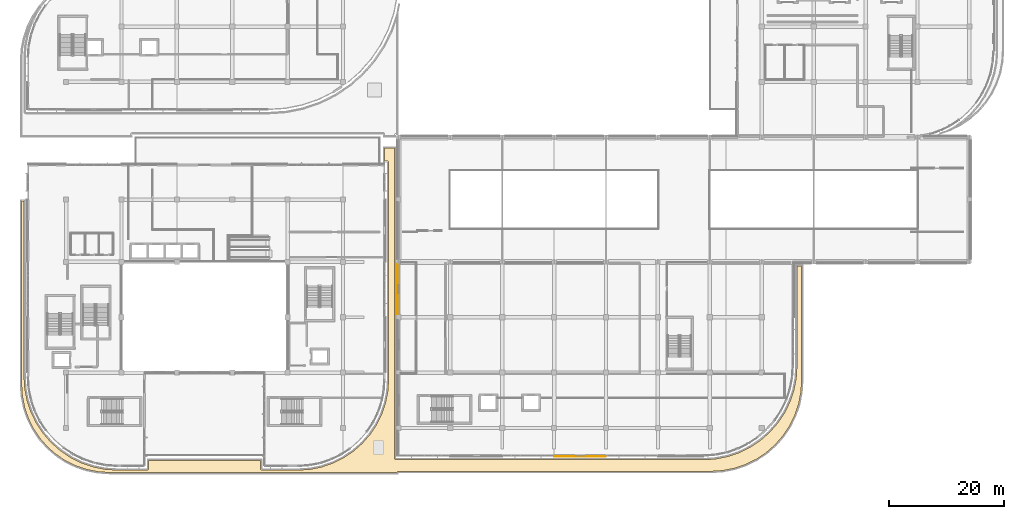
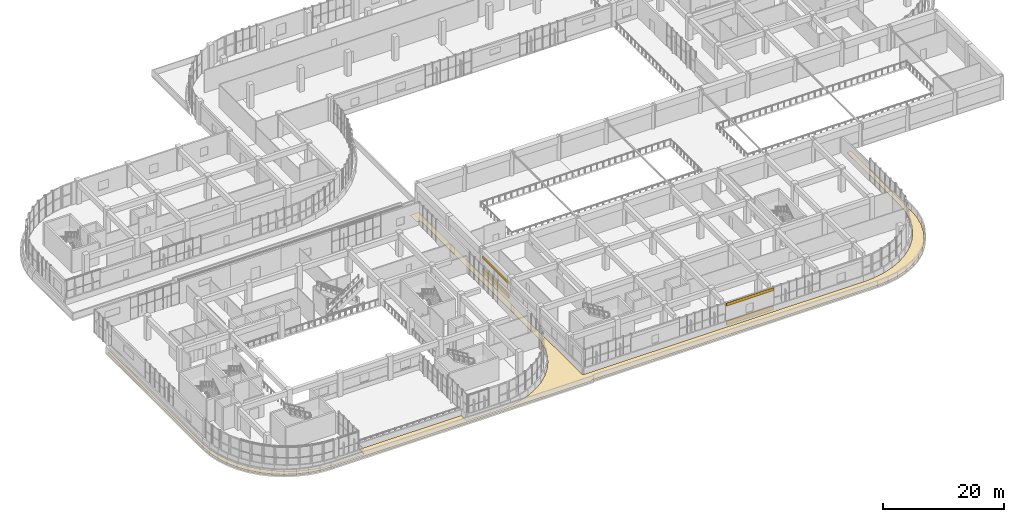
# One storey, part 83 of 96: 5 coverings.
"""IFC4 building model written with IfcOpenShell, lengths in metres."""

from ifc_helpers import new_model, si_unit, direction, frame, origin, origin_2d, place, context, subcontext, project, spatial, polyline, rectangle, outline, extrude, material, layer, layer_set, type_object, element, save


model = new_model("IFC4")

# Units and contexts
model_context = context("Model", 3, precision=1e-05, world=origin(), true_north=direction((0.0, 1.0)))
body_context = subcontext(model_context, "Body", "Model", "MODEL_VIEW")
ifc_project = project(units=[si_unit("LENGTHUNIT", "METRE"), si_unit("AREAUNIT", "SQUARE_METRE"), si_unit("VOLUMEUNIT", "CUBIC_METRE"), si_unit("PLANEANGLEUNIT", "RADIAN"), si_unit("MASSUNIT", "GRAM", prefix="KILO")], contexts=[model_context])

# Site, building, storey
site_placement = place(None, origin())
site = spatial("IfcSite", under=ifc_project, at=site_placement, CompositionType="ELEMENT")
building_placement = place(site_placement, origin())
building = spatial("IfcBuilding", under=site, at=building_placement, Name="Cendralis Terraced Arcade", CompositionType="ELEMENT")
storey_placement = place(building_placement, frame((0.0, 0.0, 10.199951171875)))
storey = spatial("IfcBuildingStorey", under=building, at=storey_placement, Name="L02", CompositionType="ELEMENT", Elevation=10.199951171875)

# Coverings
ifc_material_1 = material(Name="Precast concrete f'c 40 MPa", Category="concrete")
ifc_layer_1 = layer(ifc_material_1, 0.06494140625, Name="COV-CLAD-GRC-65")
ifc_layer_set_1 = layer_set([ifc_layer_1], Name="Precast concrete f'c 40 MPa")
covering_type_1 = type_object("IfcCoveringType", Name="COV-CLAD-GRC-65", PredefinedType="CLADDING", material=ifc_layer_set_1)
covering_1_placement = place(storey_placement, frame((98.699951171875, 4.637451171875, 0.0), z_axis=(0.0, 0.0, 1.0), x_axis=(-1.0, 0.0, 0.0)))
element("IfcCovering", 1, at=covering_1_placement, inside=storey, type_object=covering_type_1, Name="Banded Precast Stone Spandrel Cladding L02-295", PredefinedType="CLADDING", context=body_context, shape_type="SweptSolid", body=[
    extrude(rectangle(XDim=8.93994140625, YDim=0.06494140625, at=origin_2d()), origin(), (0.0, 0.0, 1.0), 0.89990234375),
])
covering_2_placement = place(storey_placement, frame((98.699951171875, 4.637451171875, 3.89501953125), z_axis=(0.0, 0.0, 1.0), x_axis=(-1.0, 0.0, 0.0)))
element("IfcCovering", 2, at=covering_2_placement, inside=storey, type_object=covering_type_1, Name="Banded Precast Stone Lintel Cladding L02-296", PredefinedType="CLADDING", context=body_context, shape_type="SweptSolid", body=[
    extrude(rectangle(XDim=8.93994140625, YDim=0.06494140625, at=origin_2d()), origin(), (0.0, 0.0, 1.0), 0.60009765625),
])
covering_3_placement = place(storey_placement, frame((67.03759765625, 33.625, 0.0), z_axis=(0.0, 0.0, 1.0), x_axis=(0.0, 1.0, 0.0)))
element("IfcCovering", 3, at=covering_3_placement, inside=storey, type_object=covering_type_1, Name="Banded Precast Stone Spandrel Cladding L02-305", PredefinedType="CLADDING", context=body_context, shape_type="SweptSolid", body=[
    extrude(rectangle(XDim=8.694091796875, YDim=0.06494140625, at=origin_2d()), origin(), (0.0, 0.0, 1.0), 0.89990234375),
])
covering_4_placement = place(storey_placement, frame((67.03759765625, 33.625, 2.8349609375), z_axis=(0.0, 0.0, 1.0), x_axis=(0.0, 1.0, 0.0)))
element("IfcCovering", 4, at=covering_4_placement, inside=storey, type_object=covering_type_1, Name="Banded Precast Stone Lintel Cladding L02-306", PredefinedType="CLADDING", context=body_context, shape_type="SweptSolid", body=[
    extrude(rectangle(XDim=8.694091796875, YDim=0.06494140625, at=origin_2d()), origin(), (0.0, 0.0, 1.0), 0.60009765625),
])
ifc_material_2 = material(Name="TPO insulated waterproofing membrane")
ifc_layer_2 = layer(ifc_material_2, 0.080078125, Name="COV-ROOF-MEM-80")
ifc_layer_set_2 = layer_set([ifc_layer_2], Name="TPO insulated waterproofing membrane")
covering_type_2 = type_object("IfcCoveringType", Name="COV-ROOF-MEM-80", PredefinedType="ROOFING", material=ifc_layer_set_2)
covering_5_placement = place(storey_placement, origin())
element("IfcCovering", 5, at=covering_5_placement, inside=storey, type_object=covering_type_2, Name="Insulated Waterproofing Roof Membrane L02-03", PredefinedType="ROOFING", context=body_context, shape_type="SweptSolid", body=[
    extrude(outline(polyline([(66.931640625, 1.8798828125), (17.109130859375, 1.8798828125), (15.11328125, 2.0107421875), (13.160888671875, 2.399169921875), (11.27587890625, 3.0390625), (9.490234375, 3.919677734375), (7.8349609375, 5.025634765625), (6.338134765625, 6.338134765625), (5.025634765625, 7.8349609375), (3.919677734375, 9.490234375), (3.0390625, 11.27587890625), (2.399169921875, 13.160888671875), (2.0107421875, 15.11328125), (1.8798828125, 17.109130859375), (1.8798828125, 48.919921875), (2.300048828125, 48.919921875), (2.300048828125, 18.486328125), (2.300537109375, 18.468017578125), (2.435791015625, 16.403564453125), (2.440673828125, 16.3671875), (2.846923828125, 14.32470703125), (2.8564453125, 14.289306640625), (3.52587890625, 12.3173828125), (3.539794921875, 12.283447265625), (4.4609375, 10.415771484375), (4.479248046875, 10.384033203125), (5.63623046875, 8.65234375), (5.65869140625, 8.623291015625), (7.03173828125, 7.0576171875), (7.0576171875, 7.03173828125), (8.623291015625, 5.65869140625), (8.65234375, 5.63623046875), (10.384033203125, 4.479248046875), (10.415771484375, 4.4609375), (12.283447265625, 3.539794921875), (12.3173828125, 3.52587890625), (14.289306640625, 2.8564453125), (14.32470703125, 2.846923828125), (16.3671875, 2.440673828125), (16.403564453125, 2.435791015625), (18.468017578125, 2.300537109375), (18.486328125, 2.300048828125), (23.6201171875, 2.300048828125), (23.6474609375, 2.30126953125), (23.674560546875, 2.305419921875), (23.701416015625, 2.31201171875), (23.727294921875, 2.3212890625), (23.751953125, 2.3330078125), (23.775634765625, 2.34716796875), (23.797607421875, 2.363525390625), (23.818115234375, 2.382080078125), (23.83642578125, 2.40234375), (23.852783203125, 2.42431640625), (23.866943359375, 2.447998046875), (23.878662109375, 2.472900390625), (23.887939453125, 2.498779296875), (23.89453125, 2.525390625), (23.898681640625, 2.552490234375), (23.89990234375, 2.580078125), (23.89990234375, 3.969970703125), (43.300048828125, 3.969970703125), (43.300048828125, 2.580078125), (43.30126953125, 2.552490234375), (43.305419921875, 2.525390625), (43.31201171875, 2.498779296875), (43.3212890625, 2.472900390625), (43.3330078125, 2.447998046875), (43.34716796875, 2.42431640625), (43.363525390625, 2.40234375), (43.382080078125, 2.382080078125), (43.40234375, 2.363525390625), (43.42431640625, 2.34716796875), (43.447998046875, 2.3330078125), (43.472900390625, 2.3212890625), (43.498779296875, 2.31201171875), (43.525390625, 2.305419921875), (43.552490234375, 2.30126953125), (43.580078125, 2.300048828125), (49.813720703125, 2.300048828125), (49.83203125, 2.300537109375), (51.8310546875, 2.431640625), (51.867431640625, 2.436279296875), (53.845947265625, 2.829833984375), (53.881103515625, 2.83935546875), (55.79150390625, 3.48779296875), (55.8251953125, 3.501708984375), (57.63427734375, 4.39404296875), (57.666015625, 4.412353515625), (59.34326171875, 5.532958984375), (59.372314453125, 5.555419921875), (60.888916015625, 6.88525390625), (60.914794921875, 6.9111328125), (62.24462890625, 8.427734375), (62.26708984375, 8.456787109375), (63.3876953125, 10.134033203125), (63.406005859375, 10.165771484375), (64.298095703125, 11.974853515625), (64.312255859375, 12.008544921875), (64.960693359375, 13.918701171875), (64.97021484375, 13.9541015625), (65.363525390625, 15.9326171875), (65.368408203125, 15.968994140625), (65.49951171875, 17.968017578125), (65.5, 17.986328125), (65.5, 55.6201171875), (65.498779296875, 55.6474609375), (65.49462890625, 55.674560546875), (65.48779296875, 55.701416015625), (65.478759765625, 55.727294921875), (65.466796875, 55.751953125), (65.452880859375, 55.775634765625), (65.436279296875, 55.797607421875), (65.41796875, 55.818115234375), (65.397705078125, 55.83642578125), (65.37548828125, 55.852783203125), (65.35205078125, 55.866943359375), (65.3271484375, 55.878662109375), (65.30126953125, 55.887939453125), (65.274658203125, 55.89453125), (65.247314453125, 55.898681640625), (65.219970703125, 55.89990234375), (64.830078125, 55.89990234375), (64.830078125, 58.1201171875), (66.5, 58.1201171875), (66.5, 4.3798828125), (66.501220703125, 4.3525390625), (66.50537109375, 4.325439453125), (66.51220703125, 4.298583984375), (66.521240234375, 4.272705078125), (66.533203125, 4.248046875), (66.547119140625, 4.224365234375), (66.563720703125, 4.202392578125), (66.58203125, 4.181884765625), (66.602294921875, 4.16357421875), (66.62451171875, 4.147216796875), (66.64794921875, 4.133056640625), (66.6728515625, 4.121337890625), (66.69873046875, 4.112060546875), (66.725341796875, 4.10546875), (66.752685546875, 4.101318359375), (66.780029296875, 4.10009765625), (120.11376953125, 4.10009765625), (120.132080078125, 4.1005859375), (122.1962890625, 4.23583984375), (122.23291015625, 4.24072265625), (124.275390625, 4.64697265625), (124.310791015625, 4.656494140625), (126.28271484375, 5.325927734375), (126.31640625, 5.33984375), (128.184326171875, 6.260986328125), (128.216064453125, 6.279296875), (129.947509765625, 7.436279296875), (129.9765625, 7.45849609375), (131.54248046875, 8.831787109375), (131.568359375, 8.857666015625), (132.94140625, 10.42333984375), (132.963623046875, 10.452392578125), (134.12060546875, 12.18408203125), (134.138916015625, 12.2158203125), (135.06005859375, 14.08349609375), (135.07421875, 14.1171875), (135.74365234375, 16.08935546875), (135.753173828125, 16.124755859375), (136.1591796875, 18.167236328125), (136.1640625, 18.20361328125), (136.29931640625, 20.267822265625), (136.300048828125, 20.286376953125), (136.300048828125, 37.699951171875), (137.1201171875, 37.699951171875), (137.1201171875, 17.80908203125), (136.98486328125, 15.748291015625), (136.583740234375, 13.7314453125), (135.9228515625, 11.784423828125), (135.013427734375, 9.940185546875), (133.87109375, 8.230712890625), (132.515380859375, 6.684814453125), (130.969482421875, 5.328857421875), (129.259765625, 4.1865234375), (127.41552734375, 3.277099609375), (125.468505859375, 2.6162109375), (123.451904296875, 2.215087890625), (121.390869140625, 2.080078125), (67.199951171875, 2.080078125), (67.172607421875, 2.07861328125), (67.1455078125, 2.07470703125), (67.11865234375, 2.06787109375), (67.0927734375, 2.05859375), (67.068115234375, 2.046875), (67.04443359375, 2.03271484375), (67.0224609375, 2.016357421875), (67.001953125, 1.998046875), (66.983642578125, 1.9775390625), (66.96728515625, 1.95556640625), (66.953125, 1.931884765625), (66.94140625, 1.9072265625), (66.93212890625, 1.88134765625), (66.931640625, 1.8798828125)])), origin(), (0.0, 0.0, 1.0), 0.080078125),
])

save(model, "model.ifc")
